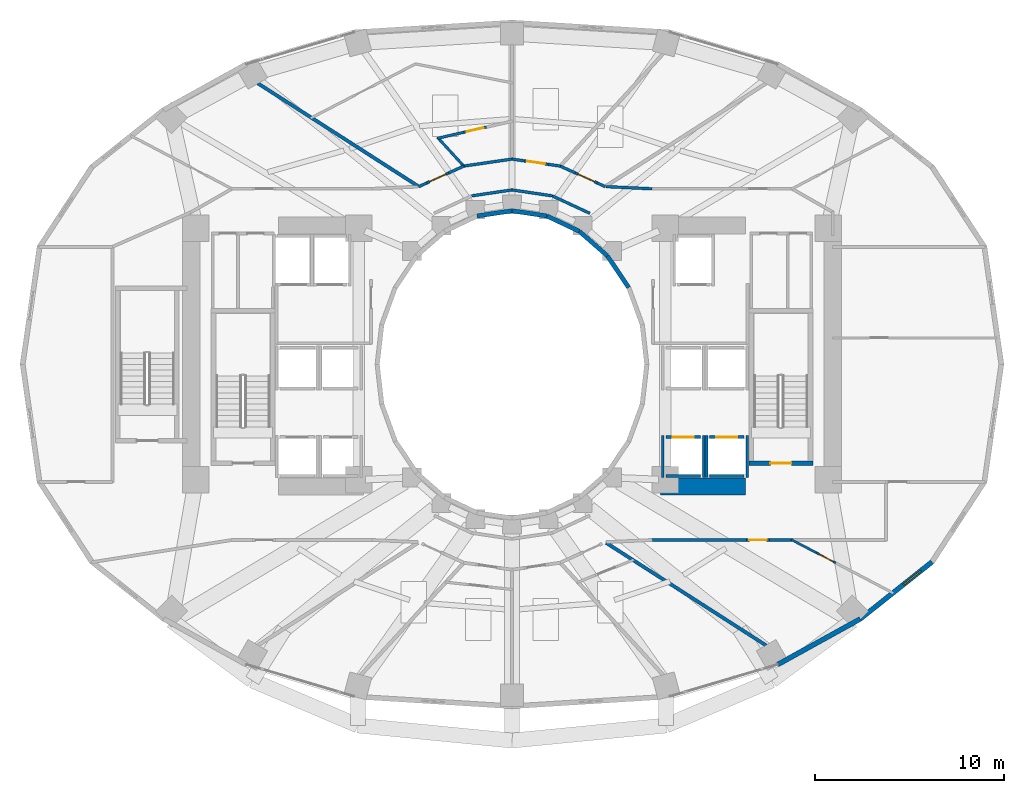
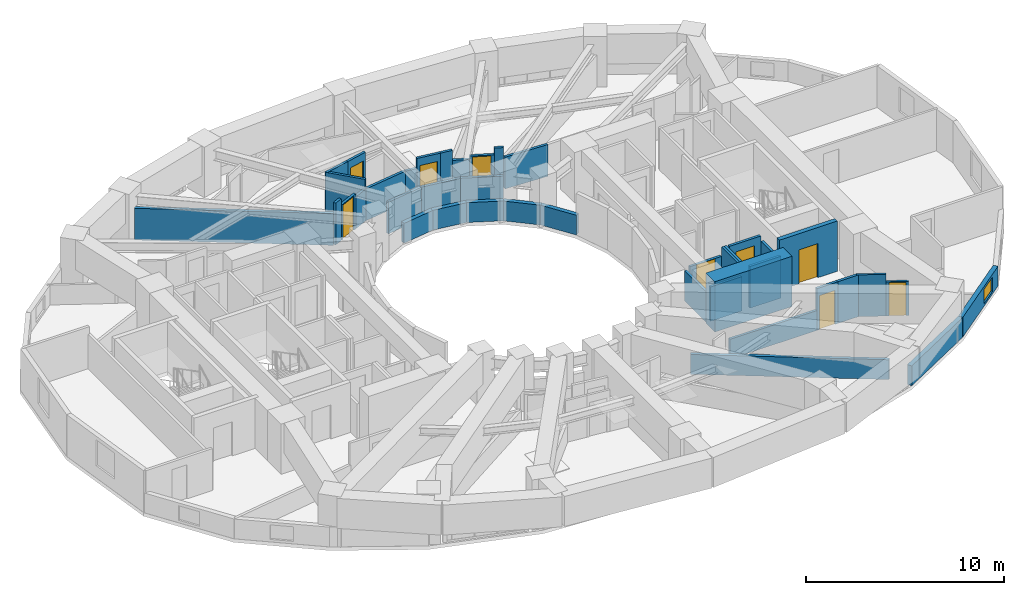
# One storey, part 12 of 17: 41 walls, 9 doors, 1 window, 10 openings.
"""IFC4 building model written with IfcOpenShell, lengths in metres."""

from ifc_helpers import new_model, si_unit, direction, frame, frame_2d, origin, place, context, subcontext, project, spatial, rectangle, extrude, material, layer, layer_set, type_object, element, fill, save


model = new_model("IFC4")

# Units and contexts
model_context = context("Model", 3, precision=1e-05, world=origin(), true_north=direction((0.0, 1.0)))
body_context = subcontext(model_context, "Body", "Model", "MODEL_VIEW")
ifc_project = project(units=[si_unit("LENGTHUNIT", "METRE"), si_unit("AREAUNIT", "SQUARE_METRE"), si_unit("VOLUMEUNIT", "CUBIC_METRE"), si_unit("PLANEANGLEUNIT", "RADIAN"), si_unit("MASSUNIT", "GRAM", prefix="KILO")], contexts=[model_context])

# Site, building, storey
site_placement = place(None, origin())
site = spatial("IfcSite", under=ifc_project, at=site_placement, CompositionType="ELEMENT")
building_placement = place(site_placement, origin())
building = spatial("IfcBuilding", under=site, at=building_placement, Name="Solvane Sanctuary Tower", CompositionType="ELEMENT")
storey_placement = place(building_placement, frame((0.0, 0.0, 52.39990234375)))
storey = spatial("IfcBuildingStorey", under=building, at=storey_placement, Name="L15", CompositionType="ELEMENT", Elevation=52.39990234375)

# Walls
ifc_material_1 = material(Name="Concrete C70/85", Category="concrete")
ifc_layer_1 = layer(ifc_material_1, 0.89990234375, Name="Concrete C70/85")
ifc_layer_set_1 = layer_set([ifc_layer_1], Name="Concrete C70/85")
wall_type_1 = type_object("IfcWallType", Name="Wall W-CORE-900", PredefinedType="SHEAR", material=ifc_layer_set_1)
wall_1_placement = place(storey_placement, frame((39.85009765625, 16.550048828125, 0.0), z_axis=(0.0, 0.0, 1.0), x_axis=(1.0, 0.0, 0.0)))
element("IfcWall", 1, at=wall_1_placement, inside=storey, type_object=wall_type_1, Name="L15 Core Shear Wall EC-S", PredefinedType="SHEAR", context=body_context, shape_type="SweptSolid", body=[
    extrude(rectangle(XDim=4.5, YDim=0.89990234375, at=frame_2d((2.25, 0.0))), origin(), (0.0, 0.0, 1.0), 3.10009765625),
])
ifc_material_2 = material(Name="Acoustic Gypsum Partition Board")
ifc_layer_2 = layer(ifc_material_2, 0.14990234375, Name="Acoustic Gypsum Partition Board")
ifc_layer_set_2 = layer_set([ifc_layer_2], Name="Acoustic Gypsum Partition Board")
wall_type_2 = type_object("IfcWallType", Name="Wall W-CORR-150", PredefinedType="PARTITIONING", material=ifc_layer_set_2)
wall_2_placement = place(storey_placement, frame((36.110107421875, 30.98486328125, 0.0), z_axis=(0.0, 0.0, 1.0), x_axis=(-0.906943449489, 0.421252393975, 0.0)))
element("IfcWall", 2, at=wall_2_placement, inside=storey, type_object=wall_type_2, Name="L15 Light-Well Corridor Rim Wall N1", PredefinedType="PARTITIONING", context=body_context, shape_type="SweptSolid", body=[
    extrude(rectangle(XDim=2.18603515625, YDim=0.14990234375, at=frame_2d((1.093017578125, 0.0))), origin(), (0.0, 0.0, 1.0), 1.95703125),
])
for number, where, z_axis, x_axis, name in (
    (3, (34.12744140625, 31.90576171875, 0.0), (0.0, 0.0, 1.0), (-0.989268584896, 0.146108408166, 0.0), "L15 Light-Well Corridor Rim Wall N2"),
    (4, (32.0, 32.219970703125, 0.0), (0.0, 0.0, 1.0), (-0.989268584896, -0.146108408166, 0.0), "L15 Light-Well Corridor Rim Wall N3"),
):
    element("IfcWall", number, at=place(storey_placement, frame(where, z_axis=z_axis, x_axis=x_axis)), inside=storey, type_object=wall_type_2, Name=name, PredefinedType="PARTITIONING", context=body_context, shape_type="SweptSolid", body=[
        extrude(rectangle(XDim=2.150634765625, YDim=0.14990234375, at=frame_2d((1.0751953125, 0.0))), origin(), (0.0, 0.0, 1.0), 1.95703125),
    ])
wall_3_placement = place(storey_placement, frame((36.97998046875, 32.393798828125, 0.0), z_axis=(0.0, 0.0, 1.0), x_axis=(0.998877427952, -0.047369651964, 0.0)))
element("IfcWall", 5, at=wall_3_placement, inside=storey, type_object=wall_type_2, Name="L15 NE Corner Throat Wall", PredefinedType="PARTITIONING", context=body_context, shape_type="SweptSolid", body=[
    extrude(rectangle(XDim=2.4326171875, YDim=0.14990234375, at=frame_2d((1.21630859375, 0.0))), origin(), (0.0, 0.0, 1.0), 1.95703125),
])
wall_4_placement = place(storey_placement, frame((39.330078125, 13.719970703125, 0.0), z_axis=(0.0, 0.0, 1.0), x_axis=(1.0, 0.0, 0.0)))
element("IfcWall", 6, at=wall_4_placement, inside=storey, type_object=wall_type_2, Name="L15 SE Corner Corridor Wall", PredefinedType="PARTITIONING", context=body_context, shape_type="SweptSolid", body=[
    extrude(rectangle(XDim=5.059814453125, YDim=0.14990234375, at=frame_2d((2.52978515625, 0.0))), origin(), (0.0, 0.0, 1.0), 1.22021484375),
])

# Wall, opening, door
wall_5_placement = place(storey_placement, frame((44.389892578125, 13.719970703125, 0.0), z_axis=(0.0, 0.0, 1.0), x_axis=(1.0, 0.0, 0.0)))
wall_5 = element("IfcWall", 7, at=wall_5_placement, inside=storey, type_object=wall_type_2, Name="L15 SE Corner Corridor Wall", PredefinedType="PARTITIONING", context=body_context, shape_type="SweptSolid", body=[
    extrude(rectangle(XDim=1.22021484375, YDim=0.14990234375, at=frame_2d((0.610107421875, 0.0))), origin(), (0.0, 0.0, 1.0), 2.5751953125),
])
opening_1_placement = place(wall_5_placement, frame((0.159912109375, 0.0, 0.0)))
opening_1 = element("IfcOpeningElement", 8, at=opening_1_placement, cuts=wall_5, Name="Opening D-L15-19", PredefinedType="OPENING", context=body_context, shape_type="SweptSolid", body=[
    extrude(rectangle(XDim=0.89990234375, YDim=2.10009765625, at=frame_2d((0.449951171875, 1.050048828125))), frame((0.0, 0.0849609375, 0.0), z_axis=(0.0, -1.0, 0.0), x_axis=(1.0, 0.0, 0.0)), (0.0, 0.0, 1.0), 0.169921875),
])
ifc_material_3 = material(Name="Engineered Tropical Hardwood", Category="wood")
door_type_1 = type_object("IfcDoorType", Name="Door D-WET-900", OperationType="NOTDEFINED", PredefinedType="DOOR", material=ifc_material_3)
door_1_placement = place(opening_1_placement, origin())
door_1 = element("IfcDoor", 9, at=door_1_placement, inside=storey, type_object=door_type_1, Name="L15 SE Corner Salon Door", OperationType="SINGLE_SWING_RIGHT", OverallHeight=2.10009765625, OverallWidth=0.89990234375, PredefinedType="DOOR", context=body_context, shape_type="SweptSolid", body=[
    extrude(rectangle(XDim=0.89990234375, YDim=2.10009765625, at=frame_2d((0.449951171875, 1.050048828125))), frame((0.0, 0.02490234375, 0.0), z_axis=(0.0, -1.0, 0.0), x_axis=(1.0, 0.0, 0.0)), (0.0, 0.0, 1.0), 0.050048828125),
])
fill(opening_1, door_1)

# Walls
wall_6_placement = place(storey_placement, frame((45.610107421875, 13.719970703125, 0.0), z_axis=(0.0, 0.0, 1.0), x_axis=(1.0, 0.0, 0.0)))
element("IfcWall", 10, at=wall_6_placement, inside=storey, type_object=wall_type_2, Name="L15 SE Corner Corridor Wall", PredefinedType="PARTITIONING", context=body_context, shape_type="SweptSolid", body=[
    extrude(rectangle(XDim=1.239990234375, YDim=0.14990234375, at=frame_2d((0.6201171875, 0.0))), origin(), (0.0, 0.0, 1.0), 2.5751953125),
])
wall_7_placement = place(storey_placement, frame((36.930908203125, 32.392578125, 0.0), z_axis=(0.0, 0.0, 1.0), x_axis=(-0.909645934478, 0.415384489224, 0.0)))
element("IfcWall", 11, at=wall_7_placement, inside=storey, type_object=wall_type_2, Name="L15 Unit Corridor Wall N1", PredefinedType="PARTITIONING", context=body_context, shape_type="SweptSolid", body=[
    extrude(rectangle(XDim=0.4765625, YDim=0.14990234375, at=frame_2d((0.23828125, 0.0))), origin(), (0.0, 0.0, 1.0), 2.5751953125),
])

# Wall, opening, door
wall_8_placement = place(storey_placement, frame((36.497314453125, 32.590576171875, 0.0), z_axis=(0.0, 0.0, 1.0), x_axis=(-0.909812681416, 0.415019137794, 0.0)))
wall_8 = element("IfcWall", 12, at=wall_8_placement, inside=storey, type_object=wall_type_2, Name="L15 Unit Corridor Wall N1", PredefinedType="PARTITIONING", context=body_context, shape_type="SweptSolid", body=[
    extrude(rectangle(XDim=1.27001953125, YDim=0.14990234375, at=frame_2d((0.635009765625, 0.0))), origin(), (0.0, 0.0, 1.0), 2.16015625),
])
opening_2_placement = place(wall_8_placement, frame((0.159912109375, 0.0, 0.0)))
opening_2 = element("IfcOpeningElement", 13, at=opening_2_placement, cuts=wall_8, Name="Opening D-L15-20", PredefinedType="OPENING", context=body_context, shape_type="SweptSolid", body=[
    extrude(rectangle(XDim=0.949951171875, YDim=2.10009765625, at=frame_2d((0.47509765625, 1.050048828125))), frame((0.0, 0.0849609375, 0.0), z_axis=(0.0, -1.0, 0.0), x_axis=(1.0, 0.0, 0.0)), (0.0, 0.0, 1.0), 0.169921875),
])
door_type_2 = type_object("IfcDoorType", Name="Door D-ROOM-950", OperationType="NOTDEFINED", PredefinedType="DOOR", material=ifc_material_3)
door_2_placement = place(opening_2_placement, origin())
door_2 = element("IfcDoor", 14, at=door_2_placement, inside=storey, type_object=door_type_2, Name="L15 Unit Entrance Door N1", OperationType="SINGLE_SWING_LEFT", OverallHeight=2.10009765625, OverallWidth=0.949951171875, PredefinedType="DOOR", context=body_context, shape_type="SweptSolid", body=[
    extrude(rectangle(XDim=0.949951171875, YDim=2.10009765625, at=frame_2d((0.47509765625, 1.050048828125))), frame((0.0, 0.02490234375, 0.0), z_axis=(0.0, -1.0, 0.0), x_axis=(1.0, 0.0, 0.0)), (0.0, 0.0, 1.0), 0.050048828125),
])
fill(opening_2, door_2)

# Walls
wall_9_placement = place(storey_placement, frame((35.341796875, 33.11767578125, 0.0), z_axis=(0.0, 0.0, 1.0), x_axis=(-0.909708546861, 0.415247347696, 0.0)))
element("IfcWall", 15, at=wall_9_placement, inside=storey, type_object=wall_type_2, Name="L15 Unit Corridor Wall N1", PredefinedType="PARTITIONING", context=body_context, shape_type="SweptSolid", body=[
    extrude(rectangle(XDim=0.87841796875, YDim=0.14990234375, at=frame_2d((0.439208984375, 0.0))), origin(), (0.0, 0.0, 1.0), 1.95703125),
])
wall_10_placement = place(storey_placement, frame((34.555908203125, 33.478271484375, 0.0), z_axis=(0.0, 0.0, 1.0), x_axis=(-0.989643848527, 0.143544603076, 0.0)))
element("IfcWall", 16, at=wall_10_placement, inside=storey, type_object=wall_type_2, Name="L15 Unit Corridor Wall N2", PredefinedType="PARTITIONING", context=body_context, shape_type="SweptSolid", body=[
    extrude(rectangle(XDim=0.659912109375, YDim=0.14990234375, at=frame_2d((0.330078125, 0.0))), origin(), (0.0, 0.0, 1.0), 2.5751953125),
])

# Wall, opening, door
wall_11_placement = place(storey_placement, frame((33.90283203125, 33.572998046875, 0.0), z_axis=(0.0, 0.0, 1.0), x_axis=(-0.989635669595, 0.143600980029, 0.0)))
wall_11 = element("IfcWall", 17, at=wall_11_placement, inside=storey, type_object=wall_type_2, Name="L15 Unit Corridor Wall N2", PredefinedType="PARTITIONING", context=body_context, shape_type="SweptSolid", body=[
    extrude(rectangle(XDim=1.27001953125, YDim=0.14990234375, at=frame_2d((0.635009765625, 0.0))), origin(), (0.0, 0.0, 1.0), 2.5751953125),
])
opening_3_placement = place(wall_11_placement, frame((0.159912109375, 0.0, 0.0)))
opening_3 = element("IfcOpeningElement", 18, at=opening_3_placement, cuts=wall_11, Name="Opening D-L15-21", PredefinedType="OPENING", context=body_context, shape_type="SweptSolid", body=[
    extrude(rectangle(XDim=0.949951171875, YDim=2.10009765625, at=frame_2d((0.47509765625, 1.050048828125))), frame((0.0, 0.0849609375, 0.0), z_axis=(0.0, -1.0, 0.0), x_axis=(1.0, 0.0, 0.0)), (0.0, 0.0, 1.0), 0.169921875),
])
door_3_placement = place(opening_3_placement, origin())
door_3 = element("IfcDoor", 19, at=door_3_placement, inside=storey, type_object=door_type_2, Name="L15 Unit Entrance Door N2", OperationType="SINGLE_SWING_RIGHT", OverallHeight=2.10009765625, OverallWidth=0.949951171875, PredefinedType="DOOR", context=body_context, shape_type="SweptSolid", body=[
    extrude(rectangle(XDim=0.949951171875, YDim=2.10009765625, at=frame_2d((0.47509765625, 1.050048828125))), frame((0.0, 0.02490234375, 0.0), z_axis=(0.0, -1.0, 0.0), x_axis=(1.0, 0.0, 0.0)), (0.0, 0.0, 1.0), 0.050048828125),
])
fill(opening_3, door_3)

# Walls
wall_12_placement = place(storey_placement, frame((32.64599609375, 33.75537109375, 0.0), z_axis=(0.0, 0.0, 1.0), x_axis=(-0.989636221287, 0.143597177958, 0.0)))
element("IfcWall", 20, at=wall_12_placement, inside=storey, type_object=wall_type_2, Name="L15 Unit Corridor Wall N2", PredefinedType="PARTITIONING", context=body_context, shape_type="SweptSolid", body=[
    extrude(rectangle(XDim=0.65966796875, YDim=0.14990234375, at=frame_2d((0.329833984375, 0.0))), origin(), (0.0, 0.0, 1.0), 1.95703125),
])
wall_13_placement = place(storey_placement, frame((32.049560546875, 33.857177734375, 0.0), z_axis=(0.0, 0.0, 1.0), x_axis=(-0.989649898776, -0.143502884474, 0.0)))
element("IfcWall", 21, at=wall_13_placement, inside=storey, type_object=wall_type_2, Name="L15 En-suite Inner Wall N3", PredefinedType="PARTITIONING", context=body_context, shape_type="SweptSolid", body=[
    extrude(rectangle(XDim=2.676025390625, YDim=0.14990234375, at=frame_2d((1.337890625, 0.0))), origin(), (0.0, 0.0, 1.0), 1.95703125),
])
wall_14_placement = place(storey_placement, frame((29.457275390625, 33.482421875, 0.0), z_axis=(0.0, 0.0, 1.0), x_axis=(-0.909708546861, -0.415247347696, 0.0)))
element("IfcWall", 22, at=wall_14_placement, inside=storey, type_object=wall_type_2, Name="L15 Unit Corridor Wall N3", PredefinedType="PARTITIONING", context=body_context, shape_type="SweptSolid", body=[
    extrude(rectangle(XDim=0.87841796875, YDim=0.14990234375, at=frame_2d((0.439208984375, 0.0))), origin(), (0.0, 0.0, 1.0), 1.95703125),
])

# Wall, opening, door
wall_15_placement = place(storey_placement, frame((28.658203125, 33.11767578125, 0.0), z_axis=(0.0, 0.0, 1.0), x_axis=(-0.909812681416, -0.415019137794, 0.0)))
wall_15 = element("IfcWall", 23, at=wall_15_placement, inside=storey, type_object=wall_type_2, Name="L15 Unit Corridor Wall N3", PredefinedType="PARTITIONING", context=body_context, shape_type="SweptSolid", body=[
    extrude(rectangle(XDim=1.27001953125, YDim=0.14990234375, at=frame_2d((0.635009765625, 0.0))), origin(), (0.0, 0.0, 1.0), 2.16015625),
])
opening_4_placement = place(wall_15_placement, frame((0.159912109375, 0.0, 0.0)))
opening_4 = element("IfcOpeningElement", 24, at=opening_4_placement, cuts=wall_15, Name="Opening D-L15-24", PredefinedType="OPENING", context=body_context, shape_type="SweptSolid", body=[
    extrude(rectangle(XDim=0.949951171875, YDim=2.10009765625, at=frame_2d((0.47509765625, 1.050048828125))), frame((0.0, 0.0849609375, 0.0), z_axis=(0.0, -1.0, 0.0), x_axis=(1.0, 0.0, 0.0)), (0.0, 0.0, 1.0), 0.169921875),
])
door_4_placement = place(opening_4_placement, origin())
door_4 = element("IfcDoor", 25, at=door_4_placement, inside=storey, type_object=door_type_2, Name="L15 Unit Entrance Door N3", OperationType="SINGLE_SWING_LEFT", OverallHeight=2.10009765625, OverallWidth=0.949951171875, PredefinedType="DOOR", context=body_context, shape_type="SweptSolid", body=[
    extrude(rectangle(XDim=0.949951171875, YDim=2.10009765625, at=frame_2d((0.47509765625, 1.050048828125))), frame((0.0, 0.02490234375, 0.0), z_axis=(0.0, -1.0, 0.0), x_axis=(1.0, 0.0, 0.0)), (0.0, 0.0, 1.0), 0.050048828125),
])
fill(opening_4, door_4)

# Walls
wall_16_placement = place(storey_placement, frame((27.502685546875, 32.590576171875, 0.0), z_axis=(0.0, 0.0, 1.0), x_axis=(-0.909645934478, -0.415384489224, 0.0)))
element("IfcWall", 26, at=wall_16_placement, inside=storey, type_object=wall_type_2, Name="L15 Unit Corridor Wall N3", PredefinedType="PARTITIONING", context=body_context, shape_type="SweptSolid", body=[
    extrude(rectangle(XDim=0.4765625, YDim=0.14990234375, at=frame_2d((0.23828125, 0.0))), origin(), (0.0, 0.0, 1.0), 2.5751953125),
])
ifc_material_4 = material(Name="Precast concrete C40/50", Category="concrete")
ifc_layer_3 = layer(ifc_material_4, 0.260009765625, Name="Precast concrete C40/50")
ifc_layer_set_3 = layer_set([ifc_layer_3], Name="Precast concrete C40/50")
wall_type_3 = type_object("IfcWallType", Name="Wall W-EXT-250", PredefinedType="STANDARD", material=ifc_layer_set_3)
wall_17_placement = place(storey_placement, frame((46.0419921875, 7.137939453125, 0.0), z_axis=(0.0, 0.0, 1.0), x_axis=(0.875137303239, 0.483874674352, 0.0)))
element("IfcWall", 27, at=wall_17_placement, inside=storey, type_object=wall_type_3, Name="L15 Ceramic-Printed Facade Wall 20", PredefinedType="STANDARD", context=body_context, shape_type="SweptSolid", body=[
    extrude(rectangle(XDim=4.985107421875, YDim=0.260009765625, at=frame_2d((2.49267578125, 0.0))), origin(), (0.0, 0.0, 1.0), 1.22021484375),
])

# Wall, opening, window
wall_18_placement = place(storey_placement, frame((50.404541015625, 9.550048828125, 0.0), z_axis=(0.0, 0.0, 1.0), x_axis=(0.783123133379, 0.621866672179, 0.0)))
wall_18 = element("IfcWall", 28, at=wall_18_placement, inside=storey, type_object=wall_type_3, Name="L15 Ceramic-Printed Facade Wall 21", PredefinedType="STANDARD", context=body_context, shape_type="SweptSolid", body=[
    extrude(rectangle(XDim=4.838623046875, YDim=0.260009765625, at=frame_2d((2.41943359375, 0.0))), origin(), (0.0, 0.0, 1.0), 1.22021484375),
])
opening_5_placement = place(wall_18_placement, frame((2.897705078125, 0.0, 0.14990234375)))
opening_5 = element("IfcOpeningElement", 29, at=opening_5_placement, cuts=wall_18, Name="Opening WN-OPER-1200", PredefinedType="OPENING", context=body_context, shape_type="SweptSolid", body=[
    extrude(rectangle(XDim=1.199951171875, YDim=0.89990234375, at=frame_2d((0.60009765625, 0.449951171875))), frame((0.0, 0.139892578125, 0.0), z_axis=(0.0, -1.0, 0.0), x_axis=(1.0, 0.0, 0.0)), (0.0, 0.0, 1.0), 0.280029296875),
])
ifc_material_5 = material(Name="Dark Ceramic-Fritted Low-E Glass", Category="glass")
window_type = type_object("IfcWindowType", Name="Window WN-OPER-1200", PartitioningType="SINGLE_PANEL", PredefinedType="WINDOW", material=ifc_material_5)
window_placement = place(opening_5_placement, origin())
window = element("IfcWindow", 30, at=window_placement, inside=storey, type_object=window_type, Name="L15 Operable Facade Window 21", OverallHeight=0.89990234375, OverallWidth=1.199951171875, PartitioningType="SINGLE_PANEL", PredefinedType="WINDOW", context=body_context, shape_type="SweptSolid", body=[
    extrude(rectangle(XDim=1.199951171875, YDim=0.89990234375, at=frame_2d((0.60009765625, 0.449951171875))), frame((0.0, 0.030029296875, 0.0), z_axis=(0.0, -1.0, 0.0), x_axis=(1.0, 0.0, 0.0)), (0.0, 0.0, 1.0), 0.06005859375),
])
fill(opening_5, window)

# Walls
ifc_layer_4 = layer(ifc_material_4, 0.22998046875, Name="Precast concrete C40/50")
ifc_layer_set_4 = layer_set([ifc_layer_4], Name="Precast concrete C40/50")
wall_type_4 = type_object("IfcWallType", Name="Wall W-EXT-SP220", PredefinedType="STANDARD", material=ifc_layer_set_4)
wall_19_placement = place(storey_placement, frame((38.166015625, 27.06005859375, 0.0), z_axis=(0.0, 0.0, 1.0), x_axis=(-0.558197800898, 0.829707909492, 0.0)))
element("IfcWall", 31, at=wall_19_placement, inside=storey, type_object=wall_type_4, Name="L15 Central Light-Well Wall 02", PredefinedType="STANDARD", context=body_context, shape_type="SweptSolid", body=[
    extrude(rectangle(XDim=2.02685546875, YDim=0.22998046875, at=frame_2d((1.013427734375, 0.0))), origin(), (0.0, 0.0, 1.0), 1.22021484375),
])
wall_20_placement = place(storey_placement, frame((37.03466796875, 28.74169921875, 0.0), z_axis=(0.0, 0.0, 1.0), x_axis=(-0.752576694707, 0.658504607869, 0.0)))
element("IfcWall", 32, at=wall_20_placement, inside=storey, type_object=wall_type_4, Name="L15 Central Light-Well Wall 03", PredefinedType="STANDARD", context=body_context, shape_type="SweptSolid", body=[
    extrude(rectangle(XDim=1.95947265625, YDim=0.22998046875, at=frame_2d((0.979736328125, 0.0))), origin(), (0.0, 0.0, 1.0), 1.22021484375),
])
wall_21_placement = place(storey_placement, frame((35.56005859375, 30.031982421875, 0.0), z_axis=(0.0, 0.0, 1.0), x_axis=(-0.904179699603, 0.427152280606, 0.0)))
element("IfcWall", 33, at=wall_21_placement, inside=storey, type_object=wall_type_4, Name="L15 Central Light-Well Wall 04", PredefinedType="STANDARD", context=body_context, shape_type="SweptSolid", body=[
    extrude(rectangle(XDim=1.899169921875, YDim=0.22998046875, at=frame_2d((0.94970703125, 0.0))), origin(), (0.0, 0.0, 1.0), 1.22021484375),
])
for number, where, z_axis, x_axis, name in (
    (34, (33.8427734375, 30.84326171875, 0.0), (0.0, 0.0, 1.0), (-0.988901730308, 0.148571086668, 0.0), "L15 Central Light-Well Wall 05"),
    (35, (32.0, 31.1201171875, 0.0), (0.0, 0.0, 1.0), (-0.988901730308, -0.148571086668, 0.0), "L15 Central Light-Well Wall 06"),
):
    element("IfcWall", number, at=place(storey_placement, frame(where, z_axis=z_axis, x_axis=x_axis)), inside=storey, type_object=wall_type_4, Name=name, PredefinedType="STANDARD", context=body_context, shape_type="SweptSolid", body=[
        extrude(rectangle(XDim=1.863525390625, YDim=0.22998046875, at=frame_2d((0.931640625, 0.0))), origin(), (0.0, 0.0, 1.0), 1.22021484375),
    ])
ifc_layer_5 = layer(ifc_material_2, 0.1201171875, Name="Acoustic Gypsum Partition Board")
ifc_layer_set_5 = layer_set([ifc_layer_5], Name="Acoustic Gypsum Partition Board")
wall_type_5 = type_object("IfcWallType", Name="Wall W-MOV-100", PredefinedType="MOVABLE", material=ifc_layer_set_5)
wall_22_placement = place(storey_placement, frame((46.755615234375, 13.7431640625, 0.0), z_axis=(0.0, 0.0, 1.0), x_axis=(0.885552742751, -0.464538846391, 0.0)))
element("IfcWall", 36, at=wall_22_placement, inside=storey, type_object=wall_type_5, Name="L15 SE Corner Suite Partition", PredefinedType="MOVABLE", context=body_context, shape_type="SweptSolid", body=[
    extrude(rectangle(XDim=1.491943359375, YDim=0.1201171875, at=frame_2d((0.74609375, 0.0))), origin(), (0.0, 0.0, 1.0), 2.5751953125),
])

# Wall, opening, door
wall_23_placement = place(storey_placement, frame((48.076904296875, 13.050048828125, 0.0), z_axis=(0.0, 0.0, 1.0), x_axis=(0.885533150024, -0.464576194191, 0.0)))
wall_23 = element("IfcWall", 37, at=wall_23_placement, inside=storey, type_object=wall_type_5, Name="L15 SE Corner Suite Partition", PredefinedType="MOVABLE", context=body_context, shape_type="SweptSolid", body=[
    extrude(rectangle(XDim=1.169677734375, YDim=0.1201171875, at=frame_2d((0.5849609375, 0.0))), origin(), (0.0, 0.0, 1.0), 2.110107421875),
])
opening_6_placement = place(wall_23_placement, frame((0.159912109375, 0.0, 0.0)))
opening_6 = element("IfcOpeningElement", 38, at=opening_6_placement, cuts=wall_23, Name="Opening D-L15-18", PredefinedType="OPENING", context=body_context, shape_type="SweptSolid", body=[
    extrude(rectangle(XDim=0.85009765625, YDim=2.050048828125, at=frame_2d((0.425048828125, 1.02490234375))), frame((0.0, 0.070068359375, 0.0), z_axis=(0.0, -1.0, 0.0), x_axis=(1.0, 0.0, 0.0)), (0.0, 0.0, 1.0), 0.14013671875),
])
ifc_material_6 = material(Name="Architectural Stainless Steel 316", Category="steel")
door_type_3 = type_object("IfcDoorType", Name="Door D-RISER", OperationType="NOTDEFINED", PredefinedType="DOOR", material=ifc_material_6)
door_5_placement = place(opening_6_placement, origin())
door_5 = element("IfcDoor", 39, at=door_5_placement, inside=storey, type_object=door_type_3, Name="L15 SE Corner Suite Door", OperationType="SINGLE_SWING_LEFT", OverallHeight=2.050048828125, OverallWidth=0.85009765625, PredefinedType="DOOR", context=body_context, shape_type="SweptSolid", body=[
    extrude(rectangle(XDim=0.85009765625, YDim=2.050048828125, at=frame_2d((0.425048828125, 1.02490234375))), frame((0.0, 0.02490234375, 0.0), z_axis=(0.0, -1.0, 0.0), x_axis=(1.0, 0.0, 0.0)), (0.0, 0.0, 1.0), 0.050048828125),
])
fill(opening_6, door_5)

ifc_material_7 = material(Name="Concrete C50/60", Category="concrete")
ifc_layer_6 = layer(ifc_material_7, 0.14990234375, Name="Concrete C50/60")
ifc_layer_set_6 = layer_set([ifc_layer_6], Name="Concrete C50/60")
wall_type_6 = type_object("IfcWallType", Name="Wall W-SHAFT-150", PredefinedType="SOLIDWALL", material=ifc_layer_set_6)
wall_24_placement = place(storey_placement, frame((40.139892578125, 19.159912109375, 0.0), z_axis=(0.0, 0.0, 1.0), x_axis=(1.0, 0.0, 0.0)))
wall_24 = element("IfcWall", 40, at=wall_24_placement, inside=storey, type_object=wall_type_6, Name="L15 PL-3 Lift Shaft Wall F", PredefinedType="SOLIDWALL", context=body_context, shape_type="SweptSolid", body=[
    extrude(rectangle(XDim=1.820068359375, YDim=0.14990234375, at=frame_2d((0.91015625, 0.0))), origin(), (0.0, 0.0, 1.0), 2.1201171875),
])
opening_7_placement = place(wall_24_placement, frame((0.360107421875, 0.0, 0.0)))
opening_7 = element("IfcOpeningElement", 41, at=opening_7_placement, cuts=wall_24, Name="Opening LD-L15-03", PredefinedType="OPENING", context=body_context, shape_type="SweptSolid", body=[
    extrude(rectangle(XDim=1.10009765625, YDim=2.10009765625, at=frame_2d((0.550048828125, 1.050048828125))), frame((0.0, 0.0849609375, 0.0), z_axis=(0.0, -1.0, 0.0), x_axis=(1.0, 0.0, 0.0)), (0.0, 0.0, 1.0), 0.169921875),
])
door_type_4 = type_object("IfcDoorType", Name="Door LD-PASS-1100", OperationType="NOTDEFINED", PredefinedType="DOOR", material=ifc_material_6)
door_6_placement = place(opening_7_placement, origin())
door_6 = element("IfcDoor", 42, at=door_6_placement, inside=storey, type_object=door_type_4, Name="L15 PL-3 Lift Landing Door", OperationType="DOUBLE_DOOR_SLIDING", OverallHeight=2.10009765625, OverallWidth=1.10009765625, PredefinedType="DOOR", context=body_context, shape_type="SweptSolid", body=[
    extrude(rectangle(XDim=1.10009765625, YDim=2.10009765625, at=frame_2d((0.550048828125, 1.050048828125))), frame((0.0, 0.02490234375, 0.0), z_axis=(0.0, -1.0, 0.0), x_axis=(1.0, 0.0, 0.0)), (0.0, 0.0, 1.0), 0.050048828125),
])
fill(opening_7, door_6)

# Walls
wall_25_placement = place(storey_placement, frame((40.139892578125, 17.10009765625, 0.0), z_axis=(0.0, 0.0, 1.0), x_axis=(1.0, 0.0, 0.0)))
element("IfcWall", 43, at=wall_25_placement, inside=storey, type_object=wall_type_6, Name="L15 PL-3 Lift Shaft Wall B", PredefinedType="SOLIDWALL", context=body_context, shape_type="SweptSolid", body=[
    extrude(rectangle(XDim=1.820068359375, YDim=0.14990234375, at=frame_2d((0.91015625, 0.0))), origin(), (0.0, 0.0, 1.0), 2.1201171875),
])
wall_26_placement = place(storey_placement, frame((39.969970703125, 17.02001953125, 0.0), z_axis=(0.0, 0.0, 1.0), x_axis=(0.0, 1.0, 0.0)))
element("IfcWall", 44, at=wall_26_placement, inside=storey, type_object=wall_type_6, Name="L15 PL-3 Lift Shaft Wall S1", PredefinedType="SOLIDWALL", context=body_context, shape_type="SweptSolid", body=[
    extrude(rectangle(XDim=2.219970703125, YDim=0.14990234375, at=frame_2d((1.10986328125, 0.0))), origin(), (0.0, 0.0, 1.0), 1.873046875),
])
wall_27_placement = place(storey_placement, frame((42.1298828125, 17.02001953125, 0.0), z_axis=(0.0, 0.0, 1.0), x_axis=(0.0, 1.0, 0.0)))
element("IfcWall", 45, at=wall_27_placement, inside=storey, type_object=wall_type_6, Name="L15 PL-3 Lift Shaft Wall S2", PredefinedType="SOLIDWALL", context=body_context, shape_type="SweptSolid", body=[
    extrude(rectangle(XDim=2.219970703125, YDim=0.14990234375, at=frame_2d((1.10986328125, 0.0))), origin(), (0.0, 0.0, 1.0), 2.5751953125),
])

# Wall, opening, door
wall_28_placement = place(storey_placement, frame((42.43994140625, 19.159912109375, 0.0), z_axis=(0.0, 0.0, 1.0), x_axis=(1.0, 0.0, 0.0)))
wall_28 = element("IfcWall", 46, at=wall_28_placement, inside=storey, type_object=wall_type_6, Name="L15 PL-4 Lift Shaft Wall F", PredefinedType="SOLIDWALL", context=body_context, shape_type="SweptSolid", body=[
    extrude(rectangle(XDim=1.820068359375, YDim=0.14990234375, at=frame_2d((0.91015625, 0.0))), origin(), (0.0, 0.0, 1.0), 2.5751953125),
])
opening_8_placement = place(wall_28_placement, frame((0.360107421875, 0.0, 0.0)))
opening_8 = element("IfcOpeningElement", 47, at=opening_8_placement, cuts=wall_28, Name="Opening LD-L15-04", PredefinedType="OPENING", context=body_context, shape_type="SweptSolid", body=[
    extrude(rectangle(XDim=1.10009765625, YDim=2.10009765625, at=frame_2d((0.550048828125, 1.050048828125))), frame((0.0, 0.0849609375, 0.0), z_axis=(0.0, -1.0, 0.0), x_axis=(1.0, 0.0, 0.0)), (0.0, 0.0, 1.0), 0.169921875),
])
door_7_placement = place(opening_8_placement, origin())
door_7 = element("IfcDoor", 48, at=door_7_placement, inside=storey, type_object=door_type_4, Name="L15 PL-4 Lift Landing Door", OperationType="DOUBLE_DOOR_SLIDING", OverallHeight=2.10009765625, OverallWidth=1.10009765625, PredefinedType="DOOR", context=body_context, shape_type="SweptSolid", body=[
    extrude(rectangle(XDim=1.10009765625, YDim=2.10009765625, at=frame_2d((0.550048828125, 1.050048828125))), frame((0.0, 0.02490234375, 0.0), z_axis=(0.0, -1.0, 0.0), x_axis=(1.0, 0.0, 0.0)), (0.0, 0.0, 1.0), 0.050048828125),
])
fill(opening_8, door_7)

# Walls
wall_29_placement = place(storey_placement, frame((42.43994140625, 17.10009765625, 0.0), z_axis=(0.0, 0.0, 1.0), x_axis=(1.0, 0.0, 0.0)))
element("IfcWall", 49, at=wall_29_placement, inside=storey, type_object=wall_type_6, Name="L15 PL-4 Lift Shaft Wall B", PredefinedType="SOLIDWALL", context=body_context, shape_type="SweptSolid", body=[
    extrude(rectangle(XDim=1.820068359375, YDim=0.14990234375, at=frame_2d((0.91015625, 0.0))), origin(), (0.0, 0.0, 1.0), 2.5751953125),
])
wall_30_placement = place(storey_placement, frame((42.27001953125, 17.02001953125, 0.0), z_axis=(0.0, 0.0, 1.0), x_axis=(0.0, 1.0, 0.0)))
element("IfcWall", 50, at=wall_30_placement, inside=storey, type_object=wall_type_6, Name="L15 PL-4 Lift Shaft Wall S1", PredefinedType="SOLIDWALL", context=body_context, shape_type="SweptSolid", body=[
    extrude(rectangle(XDim=2.219970703125, YDim=0.14990234375, at=frame_2d((1.10986328125, 0.0))), origin(), (0.0, 0.0, 1.0), 2.5751953125),
])
wall_31_placement = place(storey_placement, frame((44.429931640625, 17.02001953125, 0.0), z_axis=(0.0, 0.0, 1.0), x_axis=(0.0, 1.0, 0.0)))
element("IfcWall", 51, at=wall_31_placement, inside=storey, type_object=wall_type_6, Name="L15 PL-4 Lift Shaft Wall S2", PredefinedType="SOLIDWALL", context=body_context, shape_type="SweptSolid", body=[
    extrude(rectangle(XDim=2.219970703125, YDim=0.14990234375, at=frame_2d((1.10986328125, 0.0))), origin(), (0.0, 0.0, 1.0), 2.1201171875),
])

# Wall, opening, door
ifc_layer_7 = layer(ifc_material_7, 0.25, Name="Concrete C50/60")
ifc_layer_set_7 = layer_set([ifc_layer_7], Name="Concrete C50/60")
wall_type_7 = type_object("IfcWallType", Name="Wall W-SHAFT-250", PredefinedType="SOLIDWALL", material=ifc_layer_set_7)
wall_32_placement = place(storey_placement, frame((44.52490234375, 17.77001953125, 0.0), z_axis=(0.0, 0.0, 1.0), x_axis=(1.0, 0.0, 0.0)))
wall_32 = element("IfcWall", 52, at=wall_32_placement, inside=storey, type_object=wall_type_7, Name="L15 ST-2 Load-Bearing Shaft Wall S", PredefinedType="SOLIDWALL", context=body_context, shape_type="SweptSolid", body=[
    extrude(rectangle(XDim=3.3701171875, YDim=0.25, at=frame_2d((1.68505859375, 0.0))), origin(), (0.0, 0.0, 1.0), 3.10009765625),
])
opening_9_placement = place(wall_32_placement, frame((1.135009765625, 0.0, 0.0)))
opening_9 = element("IfcOpeningElement", 53, at=opening_9_placement, cuts=wall_32, Name="Opening D-L15-02", PredefinedType="OPENING", context=body_context, shape_type="SweptSolid", body=[
    extrude(rectangle(XDim=1.10009765625, YDim=2.10009765625, at=frame_2d((0.550048828125, 1.050048828125))), frame((0.0, 0.135009765625, 0.0), z_axis=(0.0, -1.0, 0.0), x_axis=(1.0, 0.0, 0.0)), (0.0, 0.0, 1.0), 0.27001953125),
])
door_type_5 = type_object("IfcDoorType", Name="Door D-STAIR", OperationType="NOTDEFINED", PredefinedType="DOOR", material=ifc_material_6)
door_8_placement = place(opening_9_placement, origin())
door_8 = element("IfcDoor", 54, at=door_8_placement, inside=storey, type_object=door_type_5, Name="L15 ST-2 Exit Stair Fire Door", OperationType="SINGLE_SWING_RIGHT", OverallHeight=2.10009765625, OverallWidth=1.10009765625, PredefinedType="DOOR", context=body_context, shape_type="SweptSolid", body=[
    extrude(rectangle(XDim=1.10009765625, YDim=2.10009765625, at=frame_2d((0.550048828125, 1.050048828125))), frame((0.0, 0.02490234375, 0.0), z_axis=(0.0, -1.0, 0.0), x_axis=(1.0, 0.0, 0.0)), (0.0, 0.0, 1.0), 0.050048828125),
])
fill(opening_9, door_8)

# Walls
ifc_layer_8 = layer(ifc_material_2, 0.179931640625, Name="Acoustic Gypsum Partition Board")
ifc_layer_set_8 = layer_set([ifc_layer_8], Name="Acoustic Gypsum Partition Board")
wall_type_8 = type_object("IfcWallType", Name="Wall W-UNIT-180", PredefinedType="PARTITIONING", material=ifc_layer_set_8)
wall_33_placement = place(storey_placement, frame((27.02880859375, 32.426025390625, 0.0), z_axis=(0.0, 0.0, 1.0), x_axis=(-0.841689919529, 0.5399611832, 0.0)))
element("IfcWall", 55, at=wall_33_placement, inside=storey, type_object=wall_type_8, Name="L15 Radial Compartment Wall 120", PredefinedType="PARTITIONING", context=body_context, shape_type="SweptSolid", body=[
    extrude(rectangle(XDim=10.058349609375, YDim=0.179931640625, at=frame_2d((5.029296875, 0.0))), origin(), (0.0, 0.0, 1.0), 1.95703125),
])
wall_34_placement = place(storey_placement, frame((36.97119140625, 13.573974609375, 0.0), z_axis=(0.0, 0.0, 1.0), x_axis=(0.841689919529, -0.5399611832, 0.0)))
element("IfcWall", 56, at=wall_34_placement, inside=storey, type_object=wall_type_8, Name="L15 Radial Compartment Wall 300", PredefinedType="PARTITIONING", context=body_context, shape_type="SweptSolid", body=[
    extrude(rectangle(XDim=10.058349609375, YDim=0.179931640625, at=frame_2d((5.029296875, 0.0))), origin(), (0.0, 0.0, 1.0), 1.22021484375),
])
ifc_layer_9 = layer(ifc_material_2, 0.139892578125, Name="Acoustic Gypsum Partition Board")
ifc_layer_set_9 = layer_set([ifc_layer_9], Name="Acoustic Gypsum Partition Board")
wall_type_9 = type_object("IfcWallType", Name="Wall W-WET-140", PredefinedType="PLUMBINGWALL", material=ifc_layer_set_9)
wall_35_placement = place(storey_placement, frame((29.484375, 33.443359375, 0.0), z_axis=(0.0, 0.0, 1.0), x_axis=(-0.675445566455, 0.737409849918, 0.0)))
element("IfcWall", 57, at=wall_35_placement, inside=storey, type_object=wall_type_9, Name="L15 En-suite Side Partition N3", PredefinedType="PLUMBINGWALL", context=body_context, shape_type="SweptSolid", body=[
    extrude(rectangle(XDim=2.10009765625, YDim=0.139892578125, at=frame_2d((1.050048828125, 0.0))), origin(), (0.0, 0.0, 1.0), 2.5751953125),
])

# Wall, opening, door
wall_36_placement = place(storey_placement, frame((30.644287109375, 35.5390625, 0.0), z_axis=(0.0, 0.0, 1.0), x_axis=(-0.97464691241, -0.223748510898, 0.0)))
wall_36 = element("IfcWall", 58, at=wall_36_placement, inside=storey, type_object=wall_type_9, Name="L15 En-suite Bedroom Wall N3", PredefinedType="PLUMBINGWALL", context=body_context, shape_type="SweptSolid", body=[
    extrude(rectangle(XDim=1.219970703125, YDim=0.139892578125, at=frame_2d((0.60986328125, 0.0))), origin(), (0.0, 0.0, 1.0), 2.5751953125),
])
opening_10_placement = place(wall_36_placement, frame((0.159912109375, 0.0, 0.0)))
opening_10 = element("IfcOpeningElement", 59, at=opening_10_placement, cuts=wall_36, Name="Opening D-L15-23", PredefinedType="OPENING", context=body_context, shape_type="SweptSolid", body=[
    extrude(rectangle(XDim=0.89990234375, YDim=2.10009765625, at=frame_2d((0.449951171875, 1.050048828125))), frame((0.0, 0.079833984375, 0.0), z_axis=(0.0, -1.0, 0.0), x_axis=(1.0, 0.0, 0.0)), (0.0, 0.0, 1.0), 0.159912109375),
])
door_9_placement = place(opening_10_placement, origin())
door_9 = element("IfcDoor", 60, at=door_9_placement, inside=storey, type_object=door_type_1, Name="L15 En-suite Bathroom Door N3", OperationType="SINGLE_SWING_RIGHT", OverallHeight=2.10009765625, OverallWidth=0.89990234375, PredefinedType="DOOR", context=body_context, shape_type="SweptSolid", body=[
    extrude(rectangle(XDim=0.89990234375, YDim=2.10009765625, at=frame_2d((0.449951171875, 1.050048828125))), frame((0.0, 0.02490234375, 0.0), z_axis=(0.0, -1.0, 0.0), x_axis=(1.0, 0.0, 0.0)), (0.0, 0.0, 1.0), 0.050048828125),
])
fill(opening_10, door_9)

# Wall
wall_37_placement = place(storey_placement, frame((29.455322265625, 35.26611328125, 0.0), z_axis=(0.0, 0.0, 1.0), x_axis=(-0.97466463441, -0.223671299969, 0.0)))
element("IfcWall", 61, at=wall_37_placement, inside=storey, type_object=wall_type_9, Name="L15 En-suite Bedroom Wall N3", PredefinedType="PLUMBINGWALL", context=body_context, shape_type="SweptSolid", body=[
    extrude(rectangle(XDim=1.44091796875, YDim=0.139892578125, at=frame_2d((0.720458984375, 0.0))), origin(), (0.0, 0.0, 1.0), 2.5751953125),
])

save(model, "model.ifc")
